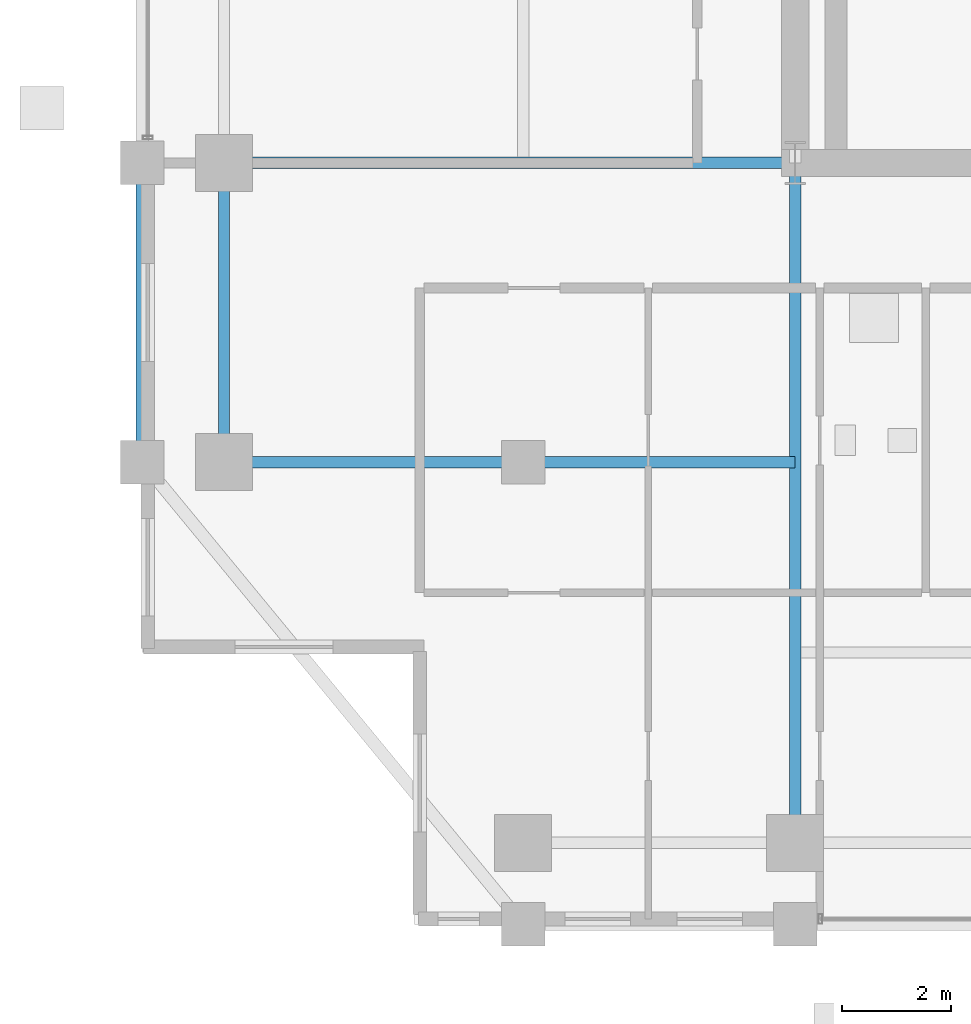
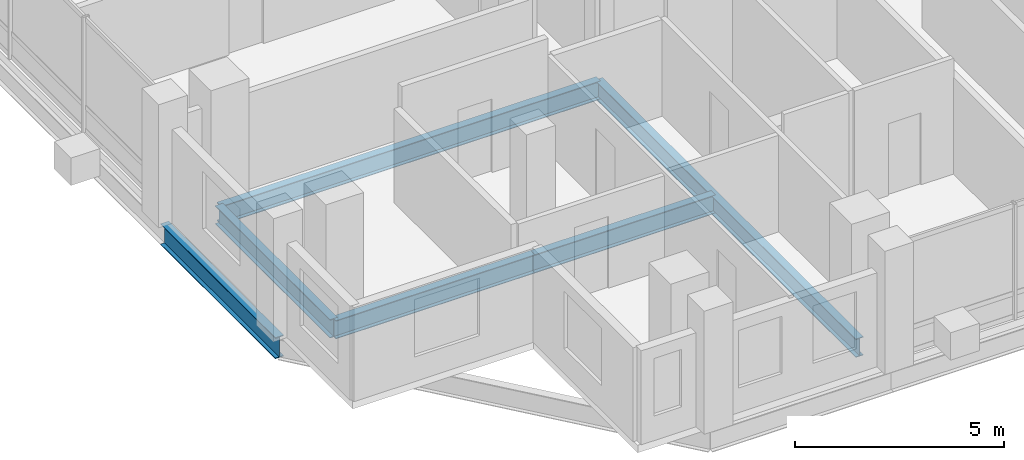
# One storey, part 3 of 24: 6 beams.
"""IFC4 building model written with IfcOpenShell, lengths in metres."""

from ifc_helpers import new_model, si_unit, direction, frame, origin, origin_2d, place, context, subcontext, project, spatial, i_section, extrude, material, material_profile, profile_set, type_object, element, save


model = new_model("IFC4")

# Units and contexts
model_context = context("Model", 3, precision=1e-05, world=origin(), true_north=direction((0.0, 1.0)))
body_context = subcontext(model_context, "Body", "Model", "MODEL_VIEW")
ifc_project = project(units=[si_unit("LENGTHUNIT", "METRE"), si_unit("AREAUNIT", "SQUARE_METRE"), si_unit("VOLUMEUNIT", "CUBIC_METRE"), si_unit("PLANEANGLEUNIT", "RADIAN"), si_unit("MASSUNIT", "GRAM", prefix="KILO")], contexts=[model_context])

# Site, building, storey
site_placement = place(None, origin())
site = spatial("IfcSite", under=ifc_project, at=site_placement, CompositionType="ELEMENT")
building_placement = place(site_placement, origin())
building = spatial("IfcBuilding", under=site, at=building_placement, Name="Barlavira Tower and Art Museum", CompositionType="ELEMENT")
storey_placement = place(building_placement, frame((0.0, 0.0, 201.60009765625)))
storey = spatial("IfcBuildingStorey", under=building, at=storey_placement, Name="L52", CompositionType="ELEMENT", Elevation=201.60009765625)

# Beams
ifc_material = material(Name="Steel S355", Category="steel")
ifc_material_profile_1 = material_profile(ifc_material, i_section(OverallWidth=0.22998046875, OverallDepth=0.616943359375, WebThickness=0.01318359375, FlangeThickness=0.022216796875, at=origin_2d()), Name="W610x140.0")
ifc_profile_set_1 = profile_set([ifc_material_profile_1], Name="Steel S355")
beam_type_1 = type_object("IfcBeamType", Name="Upper Shaft Spandrel Edge Beam W610x140 Steel S355", PredefinedType="SPANDREL", material=ifc_profile_set_1)
beam_1_placement = place(storey_placement, frame((-18.5, -13.0, -0.528564453125), z_axis=(0.0, 1.0, 0.0), x_axis=(-1.0, 0.0, 0.0)))
element("IfcBeam", 1, at=beam_1_placement, inside=storey, type_object=beam_type_1, Name="L52 Spandrel 15", PredefinedType="SPANDREL", context=body_context, shape_type="SweptSolid", body=[
    extrude(i_section(OverallWidth=0.22998046875, OverallDepth=0.616943359375, WebThickness=0.01318359375, FlangeThickness=0.022216796875, at=origin_2d()), origin(), (0.0, 0.0, 1.0), 5.5),
])
ifc_material_profile_2 = material_profile(ifc_material, i_section(OverallWidth=0.2109375, OverallDepth=0.5390625, WebThickness=0.01171875, FlangeThickness=0.018798828125, at=origin_2d()), Name="W530x109.0")
ifc_profile_set_2 = profile_set([ifc_material_profile_2], Name="Steel S355")
beam_type_2 = type_object("IfcBeamType", Name="Zone 3-4 Primary Floor Girder W530x109 Steel S355", PredefinedType="BEAM", material=ifc_profile_set_2)
beam_2_placement = place(storey_placement, frame((-17.0, -13.0, -0.489501953125), z_axis=(0.0, 1.0, 0.0), x_axis=(-1.0, 0.0, 0.0)))
element("IfcBeam", 2, at=beam_2_placement, inside=storey, type_object=beam_type_2, Name="L52 Girder M-W1", PredefinedType="BEAM", context=body_context, shape_type="SweptSolid", body=[
    extrude(i_section(OverallWidth=0.2109375, OverallDepth=0.5390625, WebThickness=0.01171875, FlangeThickness=0.018798828125, at=origin_2d()), origin(), (0.0, 0.0, 1.0), 5.5),
])
beam_3_placement = place(storey_placement, frame((-6.5, -20.0, -0.489501953125), z_axis=(0.0, 1.0, 0.0), x_axis=(-1.0, 0.0, 0.0)))
element("IfcBeam", 3, at=beam_3_placement, inside=storey, type_object=beam_type_2, Name="L52 Girder R-S1", PredefinedType="BEAM", context=body_context, shape_type="SweptSolid", body=[
    extrude(i_section(OverallWidth=0.2109375, OverallDepth=0.5390625, WebThickness=0.01171875, FlangeThickness=0.018798828125, at=origin_2d()), origin(), (0.0, 0.0, 1.0), 12.5),
])
beam_4_placement = place(storey_placement, frame((-17.0, -7.5, -0.489501953125), z_axis=(1.0, 0.0, 0.0), x_axis=(0.0, 1.0, 0.0)))
element("IfcBeam", 4, at=beam_4_placement, inside=storey, type_object=beam_type_2, Name="L52 Girder R-W1", PredefinedType="BEAM", context=body_context, shape_type="SweptSolid", body=[
    extrude(i_section(OverallWidth=0.2109375, OverallDepth=0.5390625, WebThickness=0.01171875, FlangeThickness=0.018798828125, at=origin_2d()), origin(), (0.0, 0.0, 1.0), 10.5),
])
beam_5_placement = place(storey_placement, frame((-17.0, -13.0, -0.489501953125), z_axis=(1.0, 0.0, 0.0), x_axis=(0.0, 1.0, 0.0)))
element("IfcBeam", 5, at=beam_5_placement, inside=storey, type_object=beam_type_2, Name="L52 Girder I-S1", PredefinedType="BEAM", context=body_context, shape_type="SweptSolid", body=[
    extrude(i_section(OverallWidth=0.2109375, OverallDepth=0.5390625, WebThickness=0.01171875, FlangeThickness=0.018798828125, at=origin_2d()), origin(), (0.0, 0.0, 1.0), 5.5),
])
beam_6_placement = place(storey_placement, frame((-11.5, -13.0, -0.489501953125), z_axis=(1.0, 0.0, 0.0), x_axis=(0.0, 1.0, 0.0)))
element("IfcBeam", 6, at=beam_6_placement, inside=storey, type_object=beam_type_2, Name="L52 Girder I-S2", PredefinedType="BEAM", context=body_context, shape_type="SweptSolid", body=[
    extrude(i_section(OverallWidth=0.2109375, OverallDepth=0.5390625, WebThickness=0.01171875, FlangeThickness=0.018798828125, at=origin_2d()), origin(), (0.0, 0.0, 1.0), 5.0),
])

save(model, "model.ifc")
